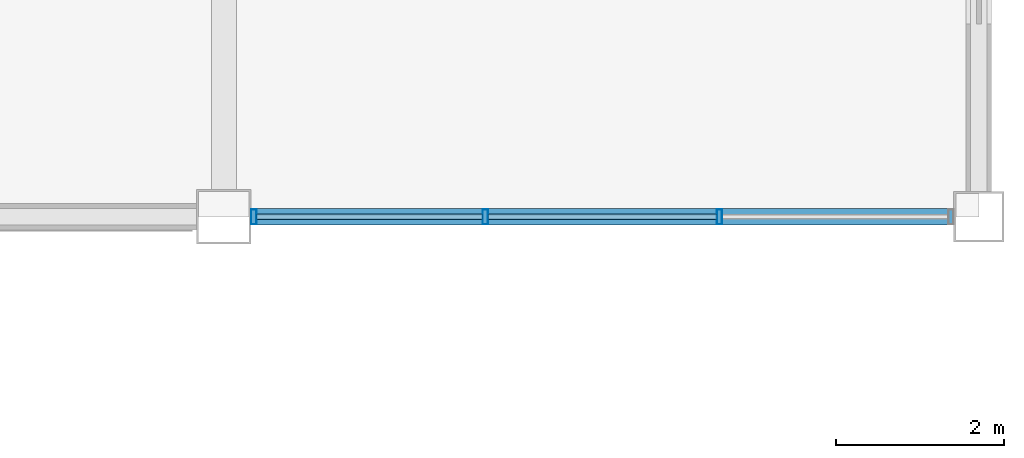
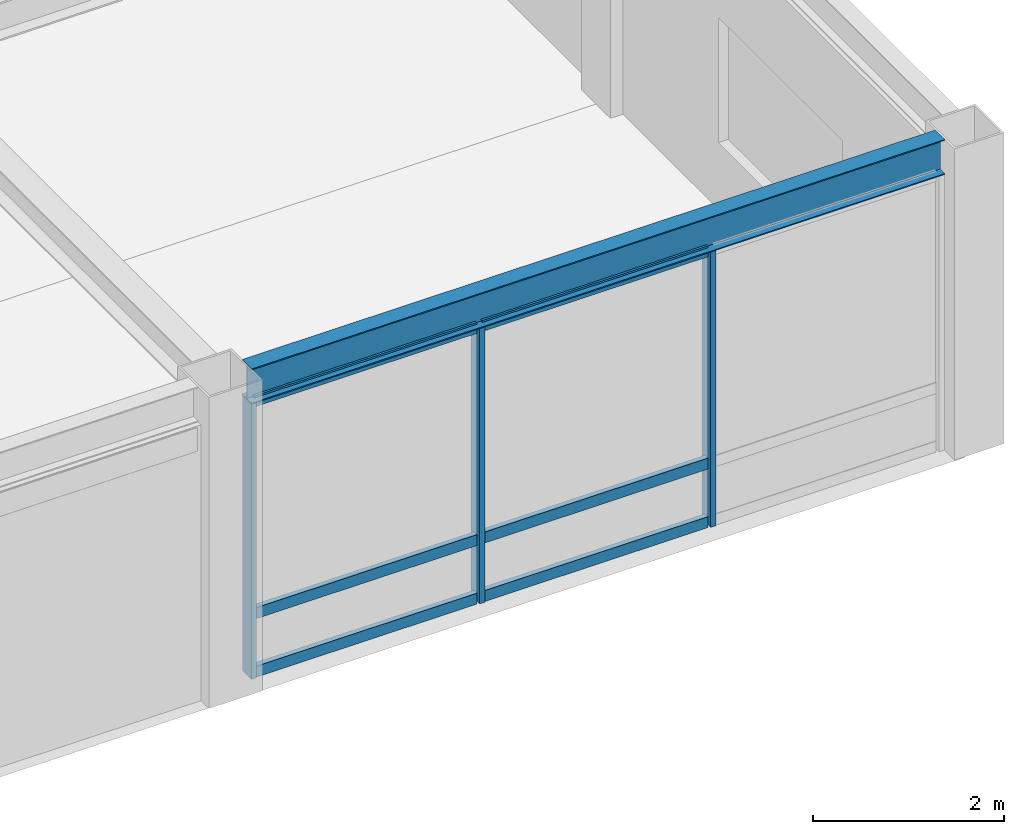
# One storey, part 73 of 106: 9 members, 1 beam, 1 element without a shape of its own.
"""IFC4 building model written with IfcOpenShell, lengths in metres."""

import ifcopenshell
import ifcopenshell.guid

model = None  # the IFC model being written
_history = None  # IfcOwnerHistory: only IFC2X3 demands one
_inside = {}  # id of a spatial element -> (the spatial element, [elements in it])
_under = {}  # id of a project, library or spatial element -> (it, [spatial elements below it])
_declared = {}  # id of a project -> (the project, [libraries it declares])
_typed = {}  # id of a type object -> (the type object, [elements of that type])
_made_of = {}  # id of a material, layer set ... -> (it, [elements and type objects made of it])


def new_model(schema):
    """Start an empty IFC model of exactly this schema.

    Asked for "IFC4X3", IfcOpenShell would pick the latest addendum, in which some entities
    have other attributes; the version numbers below select the first issue.
    IFC2X3 requires an IfcOwnerHistory on every rooted entity: one is made here for all.
    """
    global model, _history
    if schema == "IFC4X3":
        model = ifcopenshell.file(schema_version=(4, 3, 0, 0))
    else:
        model = ifcopenshell.file(schema=schema)
    _inside.clear()
    _under.clear()
    _declared.clear()
    _typed.clear()
    _made_of.clear()
    _history = None
    if model.schema == "IFC2X3":
        org = make("IfcOrganization", Name="unknown")
        user = make(
            "IfcPersonAndOrganization",
            ThePerson=make("IfcPerson", FamilyName="unknown"),
            TheOrganization=org,
        )
        app = make(
            "IfcApplication",
            ApplicationDeveloper=org,
            Version="unknown",
            ApplicationFullName="unknown",
            ApplicationIdentifier="unknown",
        )
        _history = make(
            "IfcOwnerHistory",
            OwningUser=user,
            OwningApplication=app,
            ChangeAction="ADDED",
            CreationDate=0,
        )
    return model


def make(cls, **values):
    """One entity of the class cls with the attributes given. An attribute that is None is left unset."""
    return model.create_entity(
        cls, **{name: value for name, value in values.items() if value is not None}
    )


def rooted(cls, **values):
    """An entity with a GlobalId (a new one), such as an element, a storey or a relation."""
    return make(cls, GlobalId=ifcopenshell.guid.new(), OwnerHistory=_history, **values)


def si_unit(unit_type, name, prefix=None):
    """IfcSIUnit, for example si_unit("LENGTHUNIT", "METRE", prefix="MILLI")."""
    return make("IfcSIUnit", UnitType=unit_type, Prefix=prefix, Name=name)


def assignment(units):
    """IfcUnitAssignment: the units of a project."""
    return None if units is None else make("IfcUnitAssignment", Units=units)


def point(xyz):
    """IfcCartesianPoint."""
    return None if xyz is None else make("IfcCartesianPoint", Coordinates=xyz)


def direction(xyz):
    """IfcDirection."""
    return None if xyz is None else make("IfcDirection", DirectionRatios=xyz)


def frame(location, z_axis=None, x_axis=None):
    """IfcAxis2Placement3D, a coordinate frame: its origin and axes. An axis left out is left unset."""
    return make(
        "IfcAxis2Placement3D",
        Location=point(location),
        Axis=direction(z_axis),
        RefDirection=direction(x_axis),
    )


def frame_2d(location, x_axis=None):
    """IfcAxis2Placement2D, a coordinate frame in the plane: its origin and x axis."""
    return make(
        "IfcAxis2Placement2D", Location=point(location), RefDirection=direction(x_axis)
    )


def origin():
    """The frame at (0, 0, 0) with its axes left unset."""
    return frame((0.0, 0.0, 0.0))


def origin_2d():
    """The frame at (0, 0) in the plane with its x axis left unset."""
    return frame_2d((0.0, 0.0))


def place(relative_to, where):
    """IfcLocalPlacement: puts the frame where relative to a parent placement (None: the world)."""
    return make(
        "IfcLocalPlacement", PlacementRelTo=relative_to, RelativePlacement=where
    )


def context(
    kind, dimensions, precision=None, world=None, true_north=None, identifier=None
):
    """IfcGeometricRepresentationContext, for example the 3D "Model" context."""
    return make(
        "IfcGeometricRepresentationContext",
        ContextIdentifier=identifier,
        ContextType=kind,
        CoordinateSpaceDimension=dimensions,
        Precision=precision,
        WorldCoordinateSystem=world,
        TrueNorth=true_north,
    )


def subcontext(parent, identifier, kind, view, scale=None):
    """IfcGeometricRepresentationSubContext, for example "Body" below "Model"."""
    return make(
        "IfcGeometricRepresentationSubContext",
        ContextIdentifier=identifier,
        ContextType=kind,
        ParentContext=parent,
        TargetScale=scale,
        TargetView=view,
    )


def project(units=None, contexts=None):
    """IfcProject with its units and contexts."""
    return rooted(
        "IfcProject",
        Name="project",
        RepresentationContexts=contexts,
        UnitsInContext=assignment(units),
    )


def spatial(cls, under=None, at=None, **own):
    """A site, building, storey or space (cls), placed at a placement, below another one or the project."""
    s = rooted(cls, ObjectPlacement=at, **own)
    if under is not None:
        _under.setdefault(under.id(), (under, []))[1].append(s)
    return s


def profile(cls, at=None, kind="AREA", **sizes):
    """A parametric profile (cls). Its sizes go by their IFC names, for example OverallWidth=200.0."""
    return make(cls, ProfileType=kind, Position=at, **sizes)


def hollow_rectangle(**sizes):
    """IfcRectangleHollowProfileDef."""
    return profile("IfcRectangleHollowProfileDef", **sizes)


def i_section(**sizes):
    """IfcIShapeProfileDef."""
    return profile("IfcIShapeProfileDef", **sizes)


def extrude(swept, where, along, depth):
    """IfcExtrudedAreaSolid: the profile swept, set in the frame where, extruded along a direction by depth."""
    return make(
        "IfcExtrudedAreaSolid",
        SweptArea=swept,
        Position=where,
        ExtrudedDirection=direction(along),
        Depth=depth,
    )


def shape(context_of_items, identifier, shape_type, items):
    """IfcShapeRepresentation: the items that make up one representation, for example the "Body"."""
    return make(
        "IfcShapeRepresentation",
        ContextOfItems=context_of_items,
        RepresentationIdentifier=identifier,
        RepresentationType=shape_type,
        Items=items,
    )


def material(Name=None, Category=None):
    """IfcMaterial."""
    return make("IfcMaterial", Name=Name, Category=Category)


def material_profile(
    of_material, cross_section, Name=None, Category=None, Priority=None
):
    """IfcMaterialProfile: a cross section and its material."""
    return make(
        "IfcMaterialProfile",
        Name=Name,
        Material=of_material,
        Profile=cross_section,
        Priority=Priority,
        Category=Category,
    )


def profile_set(profiles, Name=None, composite=None):
    """IfcMaterialProfileSet."""
    return make(
        "IfcMaterialProfileSet",
        Name=Name,
        MaterialProfiles=profiles,
        CompositeProfile=composite,
    )


def made_of(thing, what):
    """Note that an element or type object is made of a material, layer set ...; save() writes the relation."""
    if what is not None:
        _made_of.setdefault(what.id(), (what, []))[1].append(thing)
    return thing


def type_object(cls, material=None, **own):
    """A type object (cls), such as IfcWallType, which elements share."""
    return made_of(rooted(cls, **own), material)


def element(
    cls,
    number,
    at=None,
    inside=None,
    cuts=None,
    type_object=None,
    material=None,
    context=None,
    identifier="Body",
    shape_type=None,
    held_by="IfcProductDefinitionShape",
    body=None,
    shapes=None,
    **own,
):
    """One element of the class cls, such as IfcWall. Its Tag is "e" and its number.

    at: its placement. inside: the storey or other place that contains it. cuts: it is an
    opening in that element (IfcRelVoidsElement). A single representation is given by context,
    identifier, shape_type and body (its items); several are given by shapes. held_by: the class
    of the entity that holds the representations. save() writes the other relations.
    """
    e = rooted(cls, Tag="e%d" % number, ObjectPlacement=at, **own)
    if body is not None:
        shapes = [shape(context, identifier, shape_type, body)]
    if shapes is not None:
        e.Representation = make(held_by, Representations=shapes)
    if inside is not None:
        _inside.setdefault(inside.id(), (inside, []))[1].append(e)
    if cuts is not None:
        rooted(
            "IfcRelVoidsElement", RelatingBuildingElement=cuts, RelatedOpeningElement=e
        )
    if type_object is not None:
        _typed.setdefault(type_object.id(), (type_object, []))[1].append(e)
    return made_of(e, material)


def aggregate(whole, parts):
    """IfcRelAggregates: a whole, such as a stair, and the parts it consists of."""
    return rooted("IfcRelAggregates", RelatingObject=whole, RelatedObjects=parts)


def save(model, path):
    """Write the relations noted so far, then the file.

    IfcRelAggregates (storeys below a building ...), IfcRelContainedInSpatialStructure (elements
    in a storey), IfcRelDefinesByType, IfcRelAssociatesMaterial and IfcRelDeclares: one each for
    every whole, place, type object, material and project.
    """
    for whole, parts in _under.values():
        aggregate(whole, parts)
    for where, things in _inside.values():
        rooted(
            "IfcRelContainedInSpatialStructure",
            RelatedElements=things,
            RelatingStructure=where,
        )
    for kind, things in _typed.values():
        rooted("IfcRelDefinesByType", RelatedObjects=things, RelatingType=kind)
    for what, things in _made_of.values():
        rooted("IfcRelAssociatesMaterial", RelatedObjects=things, RelatingMaterial=what)
    for by, libraries in _declared.values():
        rooted("IfcRelDeclares", RelatingContext=by, RelatedDefinitions=libraries)
    model.write(path)


model = new_model("IFC4")

# Units and contexts
model_context = context("Model", 3, precision=1e-05, world=origin(), true_north=direction((0.0, 1.0)))
body_context = subcontext(model_context, "Body", "Model", "MODEL_VIEW")
ifc_project = project(units=[si_unit("LENGTHUNIT", "METRE"), si_unit("AREAUNIT", "SQUARE_METRE"), si_unit("VOLUMEUNIT", "CUBIC_METRE"), si_unit("PLANEANGLEUNIT", "RADIAN"), si_unit("MASSUNIT", "GRAM", prefix="KILO")], contexts=[model_context])

# Site, building, storey
site_placement = place(None, origin())
site = spatial("IfcSite", under=ifc_project, at=site_placement, CompositionType="ELEMENT")
building_placement = place(site_placement, origin())
building = spatial("IfcBuilding", under=site, at=building_placement, Name="Kazanami Central Library", CompositionType="ELEMENT")
storey_placement = place(building_placement, frame((0.0, 0.0, 12.800048828125)))
storey = spatial("IfcBuildingStorey", under=building, at=storey_placement, Name="L04", CompositionType="ELEMENT", Elevation=12.800048828125)

# Beam
ifc_material_1 = material(Name="Steel SN490B (325 MPa)", Category="steel")
ifc_material_profile_1 = material_profile(ifc_material_1, i_section(OverallWidth=0.199951171875, OverallDepth=0.449951171875, WebThickness=0.009033203125, FlangeThickness=0.013916015625, at=origin_2d()), Name="H-450x200x9x14")
ifc_profile_set_1 = profile_set([ifc_material_profile_1], Name="Steel SN490B (325 MPa)")
beam_type = type_object("IfcBeamType", Name="BM-SP-2", PredefinedType="SPANDREL", material=ifc_profile_set_1)
beam_placement = place(storey_placement, frame((153.322998046875, 43.199951171875, 3.75), z_axis=(1.0, 0.0, 0.0), x_axis=(0.0, 1.0, 0.0)))
element("IfcBeam", 1, at=beam_placement, inside=storey, type_object=beam_type, Name="Girder SP-2 L04 G/18-19", PredefinedType="SPANDREL", context=body_context, shape_type="SweptSolid", body=[
    extrude(i_section(OverallWidth=0.199951171875, OverallDepth=0.449951171875, WebThickness=0.009033203125, FlangeThickness=0.013916015625, at=origin_2d()), origin(), (0.0, 0.0, 1.0), 8.37890625),
])

# Curtain wall, members
ifc_material_2 = material(Name="Acid-Etched Low-E Laminated Glass", Category="glass")
curtain_wall_type = type_object("IfcCurtainWallType", Name="CW-8375x3525-M275", PredefinedType="USERDEFINED", material=ifc_material_2)
curtain_wall_placement = place(storey_placement, origin())
curtain_wall = element("IfcCurtainWall", 2, at=curtain_wall_placement, inside=storey, type_object=curtain_wall_type, Name="Unitised Curtain Wall CW-38 L04 S-G-17", ObjectType="UNITISED CURTAIN WALL", PredefinedType="USERDEFINED")
ifc_material_3 = material(Name="Anodised Aluminium A6063-T5", Category="aluminium")
ifc_material_profile_2 = material_profile(ifc_material_3, hollow_rectangle(XDim=0.06494140625, YDim=0.179931640625, WallThickness=0.00390625, at=origin_2d()), Name="ALU-MULL-65x180x4")
ifc_profile_set_2 = profile_set([ifc_material_profile_2], Name="Anodised Aluminium A6063-T5")
member_type_1 = type_object("IfcMemberType", Name="MEM-CW-M2", PredefinedType="MULLION", material=ifc_profile_set_2)
member_1_placement = place(storey_placement, frame((153.357421875, 43.199951171875, 0.0), z_axis=(0.0, 0.0, 1.0), x_axis=(1.0, 0.0, 0.0)))
member_1 = element("IfcMember", 3, at=member_1_placement, type_object=member_type_1, Name="CW-38 mullion 1", PredefinedType="MULLION", context=body_context, shape_type="SweptSolid", body=[
    extrude(hollow_rectangle(XDim=0.06494140625, YDim=0.179931640625, WallThickness=0.00390625, at=origin_2d()), origin(), (0.0, 0.0, 1.0), 3.52490234375),
])
member_2_placement = place(storey_placement, frame((156.11669921875, 43.199951171875, 0.0), z_axis=(0.0, 0.0, 1.0), x_axis=(1.0, 0.0, 0.0)))
member_2 = element("IfcMember", 4, at=member_2_placement, type_object=member_type_1, Name="CW-38 mullion 2", PredefinedType="MULLION", context=body_context, shape_type="SweptSolid", body=[
    extrude(hollow_rectangle(XDim=0.06494140625, YDim=0.179931640625, WallThickness=0.00390625, at=origin_2d()), origin(), (0.0, 0.0, 1.0), 3.52490234375),
])
member_3_placement = place(storey_placement, frame((158.908447265625, 43.199951171875, 0.0), z_axis=(0.0, 0.0, 1.0), x_axis=(1.0, 0.0, 0.0)))
member_3 = element("IfcMember", 5, at=member_3_placement, type_object=member_type_1, Name="CW-38 mullion 3", PredefinedType="MULLION", context=body_context, shape_type="SweptSolid", body=[
    extrude(hollow_rectangle(XDim=0.06494140625, YDim=0.179931640625, WallThickness=0.00390625, at=origin_2d()), origin(), (0.0, 0.0, 1.0), 3.52490234375),
])
ifc_material_profile_3 = material_profile(ifc_material_3, hollow_rectangle(XDim=0.06494140625, YDim=0.139892578125, WallThickness=0.00390625, at=origin_2d()), Name="ALU-TRAN-65x140x4")
ifc_profile_set_3 = profile_set([ifc_material_profile_3], Name="Anodised Aluminium A6063-T5")
member_type_2 = type_object("IfcMemberType", Name="MEM-CW-T2", PredefinedType="USERDEFINED", material=ifc_profile_set_3)
member_4_placement = place(storey_placement, frame((153.389892578125, 43.199951171875, 0.032470703125), z_axis=(1.0, 0.0, 0.0), x_axis=(0.0, 1.0, 0.0)))
member_4 = element("IfcMember", 6, at=member_4_placement, type_object=member_type_2, Name="CW-38 transom 1.1", ObjectType="TRANSOM", PredefinedType="USERDEFINED", context=body_context, shape_type="SweptSolid", body=[
    extrude(hollow_rectangle(XDim=0.06494140625, YDim=0.139892578125, WallThickness=0.00390625, at=origin_2d()), origin(), (0.0, 0.0, 1.0), 2.6943359375),
])
member_5_placement = place(storey_placement, frame((153.389892578125, 43.199951171875, 0.780029296875), z_axis=(1.0, 0.0, 0.0), x_axis=(0.0, 1.0, 0.0)))
member_5 = element("IfcMember", 7, at=member_5_placement, type_object=member_type_2, Name="CW-38 transom 1.2", ObjectType="TRANSOM", PredefinedType="USERDEFINED", context=body_context, shape_type="SweptSolid", body=[
    extrude(hollow_rectangle(XDim=0.06494140625, YDim=0.139892578125, WallThickness=0.00390625, at=origin_2d()), origin(), (0.0, 0.0, 1.0), 2.6943359375),
])
member_6_placement = place(storey_placement, frame((153.389892578125, 43.199951171875, 3.492431640625), z_axis=(1.0, 0.0, 0.0), x_axis=(0.0, 1.0, 0.0)))
member_6 = element("IfcMember", 8, at=member_6_placement, type_object=member_type_2, Name="CW-38 transom 1.3", ObjectType="TRANSOM", PredefinedType="USERDEFINED", context=body_context, shape_type="SweptSolid", body=[
    extrude(hollow_rectangle(XDim=0.06494140625, YDim=0.139892578125, WallThickness=0.00390625, at=origin_2d()), origin(), (0.0, 0.0, 1.0), 2.6943359375),
])
member_7_placement = place(storey_placement, frame((156.149169921875, 43.199951171875, 0.032470703125), z_axis=(1.0, 0.0, 0.0), x_axis=(0.0, 1.0, 0.0)))
member_7 = element("IfcMember", 9, at=member_7_placement, type_object=member_type_2, Name="CW-38 transom 2.1", ObjectType="TRANSOM", PredefinedType="USERDEFINED", context=body_context, shape_type="SweptSolid", body=[
    extrude(hollow_rectangle(XDim=0.06494140625, YDim=0.139892578125, WallThickness=0.00390625, at=origin_2d()), origin(), (0.0, 0.0, 1.0), 2.7265625),
])
member_8_placement = place(storey_placement, frame((156.149169921875, 43.199951171875, 0.780029296875), z_axis=(1.0, 0.0, 0.0), x_axis=(0.0, 1.0, 0.0)))
member_8 = element("IfcMember", 10, at=member_8_placement, type_object=member_type_2, Name="CW-38 transom 2.2", ObjectType="TRANSOM", PredefinedType="USERDEFINED", context=body_context, shape_type="SweptSolid", body=[
    extrude(hollow_rectangle(XDim=0.06494140625, YDim=0.139892578125, WallThickness=0.00390625, at=origin_2d()), origin(), (0.0, 0.0, 1.0), 2.7265625),
])
member_9_placement = place(storey_placement, frame((156.149169921875, 43.199951171875, 3.492431640625), z_axis=(1.0, 0.0, 0.0), x_axis=(0.0, 1.0, 0.0)))
member_9 = element("IfcMember", 11, at=member_9_placement, type_object=member_type_2, Name="CW-38 transom 2.3", ObjectType="TRANSOM", PredefinedType="USERDEFINED", context=body_context, shape_type="SweptSolid", body=[
    extrude(hollow_rectangle(XDim=0.06494140625, YDim=0.139892578125, WallThickness=0.00390625, at=origin_2d()), origin(), (0.0, 0.0, 1.0), 2.7265625),
])
aggregate(curtain_wall, [member_1, member_2, member_3, member_4, member_5, member_6, member_7, member_8, member_9])

save(model, "model.ifc")
